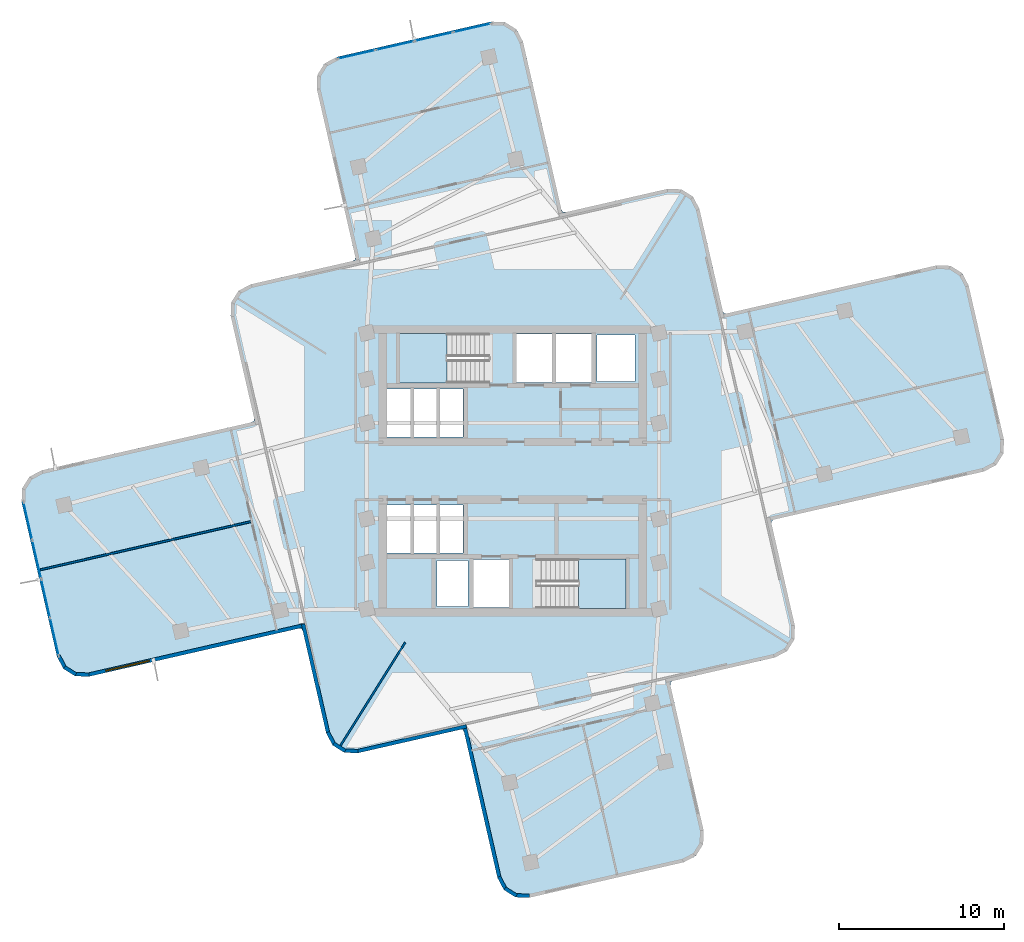
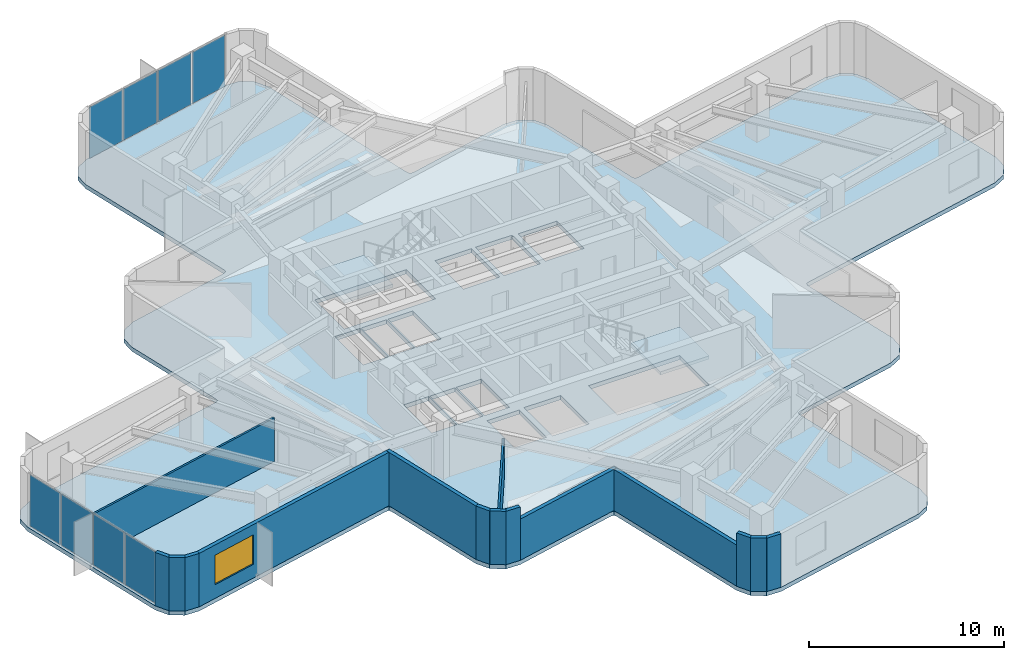
# One storey, part 5 of 11: 15 walls, 8 plates, 3 slabs, 1 window, 1 opening, 4 elements without a shape of their own.
"""IFC4 building model written with IfcOpenShell, lengths in metres."""

import ifcopenshell
import ifcopenshell.guid

model = None  # the IFC model being written
_history = None  # IfcOwnerHistory: only IFC2X3 demands one
_inside = {}  # id of a spatial element -> (the spatial element, [elements in it])
_under = {}  # id of a project, library or spatial element -> (it, [spatial elements below it])
_declared = {}  # id of a project -> (the project, [libraries it declares])
_typed = {}  # id of a type object -> (the type object, [elements of that type])
_made_of = {}  # id of a material, layer set ... -> (it, [elements and type objects made of it])


def new_model(schema):
    """Start an empty IFC model of exactly this schema.

    Asked for "IFC4X3", IfcOpenShell would pick the latest addendum, in which some entities
    have other attributes; the version numbers below select the first issue.
    IFC2X3 requires an IfcOwnerHistory on every rooted entity: one is made here for all.
    """
    global model, _history
    if schema == "IFC4X3":
        model = ifcopenshell.file(schema_version=(4, 3, 0, 0))
    else:
        model = ifcopenshell.file(schema=schema)
    _inside.clear()
    _under.clear()
    _declared.clear()
    _typed.clear()
    _made_of.clear()
    _history = None
    if model.schema == "IFC2X3":
        org = make("IfcOrganization", Name="unknown")
        user = make(
            "IfcPersonAndOrganization",
            ThePerson=make("IfcPerson", FamilyName="unknown"),
            TheOrganization=org,
        )
        app = make(
            "IfcApplication",
            ApplicationDeveloper=org,
            Version="unknown",
            ApplicationFullName="unknown",
            ApplicationIdentifier="unknown",
        )
        _history = make(
            "IfcOwnerHistory",
            OwningUser=user,
            OwningApplication=app,
            ChangeAction="ADDED",
            CreationDate=0,
        )
    return model


def make(cls, **values):
    """One entity of the class cls with the attributes given. An attribute that is None is left unset."""
    return model.create_entity(
        cls, **{name: value for name, value in values.items() if value is not None}
    )


def rooted(cls, **values):
    """An entity with a GlobalId (a new one), such as an element, a storey or a relation."""
    return make(cls, GlobalId=ifcopenshell.guid.new(), OwnerHistory=_history, **values)


def si_unit(unit_type, name, prefix=None):
    """IfcSIUnit, for example si_unit("LENGTHUNIT", "METRE", prefix="MILLI")."""
    return make("IfcSIUnit", UnitType=unit_type, Prefix=prefix, Name=name)


def assignment(units):
    """IfcUnitAssignment: the units of a project."""
    return None if units is None else make("IfcUnitAssignment", Units=units)


def point(xyz):
    """IfcCartesianPoint."""
    return None if xyz is None else make("IfcCartesianPoint", Coordinates=xyz)


def direction(xyz):
    """IfcDirection."""
    return None if xyz is None else make("IfcDirection", DirectionRatios=xyz)


def frame(location, z_axis=None, x_axis=None):
    """IfcAxis2Placement3D, a coordinate frame: its origin and axes. An axis left out is left unset."""
    return make(
        "IfcAxis2Placement3D",
        Location=point(location),
        Axis=direction(z_axis),
        RefDirection=direction(x_axis),
    )


def frame_2d(location, x_axis=None):
    """IfcAxis2Placement2D, a coordinate frame in the plane: its origin and x axis."""
    return make(
        "IfcAxis2Placement2D", Location=point(location), RefDirection=direction(x_axis)
    )


def origin():
    """The frame at (0, 0, 0) with its axes left unset."""
    return frame((0.0, 0.0, 0.0))


def origin_2d():
    """The frame at (0, 0) in the plane with its x axis left unset."""
    return frame_2d((0.0, 0.0))


def place(relative_to, where):
    """IfcLocalPlacement: puts the frame where relative to a parent placement (None: the world)."""
    return make(
        "IfcLocalPlacement", PlacementRelTo=relative_to, RelativePlacement=where
    )


def context(
    kind, dimensions, precision=None, world=None, true_north=None, identifier=None
):
    """IfcGeometricRepresentationContext, for example the 3D "Model" context."""
    return make(
        "IfcGeometricRepresentationContext",
        ContextIdentifier=identifier,
        ContextType=kind,
        CoordinateSpaceDimension=dimensions,
        Precision=precision,
        WorldCoordinateSystem=world,
        TrueNorth=true_north,
    )


def subcontext(parent, identifier, kind, view, scale=None):
    """IfcGeometricRepresentationSubContext, for example "Body" below "Model"."""
    return make(
        "IfcGeometricRepresentationSubContext",
        ContextIdentifier=identifier,
        ContextType=kind,
        ParentContext=parent,
        TargetScale=scale,
        TargetView=view,
    )


def project(units=None, contexts=None):
    """IfcProject with its units and contexts."""
    return rooted(
        "IfcProject",
        Name="project",
        RepresentationContexts=contexts,
        UnitsInContext=assignment(units),
    )


def spatial(cls, under=None, at=None, **own):
    """A site, building, storey or space (cls), placed at a placement, below another one or the project."""
    s = rooted(cls, ObjectPlacement=at, **own)
    if under is not None:
        _under.setdefault(under.id(), (under, []))[1].append(s)
    return s


def polyline(points):
    """IfcPolyline through the points."""
    return make("IfcPolyline", Points=[point(p) for p in points])


def profile(cls, at=None, kind="AREA", **sizes):
    """A parametric profile (cls). Its sizes go by their IFC names, for example OverallWidth=200.0."""
    return make(cls, ProfileType=kind, Position=at, **sizes)


def rectangle(**sizes):
    """IfcRectangleProfileDef."""
    return profile("IfcRectangleProfileDef", **sizes)


def outline(outer, holes=None, kind="AREA"):
    """IfcArbitraryClosedProfileDef: a profile drawn as a closed curve; with holes, ...WithVoids."""
    if holes is None:
        return make("IfcArbitraryClosedProfileDef", ProfileType=kind, OuterCurve=outer)
    return make(
        "IfcArbitraryProfileDefWithVoids",
        ProfileType=kind,
        OuterCurve=outer,
        InnerCurves=holes,
    )


def extrude(swept, where, along, depth):
    """IfcExtrudedAreaSolid: the profile swept, set in the frame where, extruded along a direction by depth."""
    return make(
        "IfcExtrudedAreaSolid",
        SweptArea=swept,
        Position=where,
        ExtrudedDirection=direction(along),
        Depth=depth,
    )


def shape(context_of_items, identifier, shape_type, items):
    """IfcShapeRepresentation: the items that make up one representation, for example the "Body"."""
    return make(
        "IfcShapeRepresentation",
        ContextOfItems=context_of_items,
        RepresentationIdentifier=identifier,
        RepresentationType=shape_type,
        Items=items,
    )


def material(Name=None, Category=None):
    """IfcMaterial."""
    return make("IfcMaterial", Name=Name, Category=Category)


def layer(
    of_material, thickness, ventilated=None, Name=None, Category=None, Priority=None
):
    """IfcMaterialLayer: one layer of a wall or slab, of a material (None: an air gap)."""
    return make(
        "IfcMaterialLayer",
        Material=of_material,
        LayerThickness=thickness,
        IsVentilated=ventilated,
        Name=Name,
        Category=Category,
        Priority=Priority,
    )


def layer_set(layers, Name=None):
    """IfcMaterialLayerSet."""
    return make("IfcMaterialLayerSet", MaterialLayers=layers, LayerSetName=Name)


def made_of(thing, what):
    """Note that an element or type object is made of a material, layer set ...; save() writes the relation."""
    if what is not None:
        _made_of.setdefault(what.id(), (what, []))[1].append(thing)
    return thing


def type_object(cls, material=None, **own):
    """A type object (cls), such as IfcWallType, which elements share."""
    return made_of(rooted(cls, **own), material)


def element(
    cls,
    number,
    at=None,
    inside=None,
    cuts=None,
    type_object=None,
    material=None,
    context=None,
    identifier="Body",
    shape_type=None,
    held_by="IfcProductDefinitionShape",
    body=None,
    shapes=None,
    **own,
):
    """One element of the class cls, such as IfcWall. Its Tag is "e" and its number.

    at: its placement. inside: the storey or other place that contains it. cuts: it is an
    opening in that element (IfcRelVoidsElement). A single representation is given by context,
    identifier, shape_type and body (its items); several are given by shapes. held_by: the class
    of the entity that holds the representations. save() writes the other relations.
    """
    e = rooted(cls, Tag="e%d" % number, ObjectPlacement=at, **own)
    if body is not None:
        shapes = [shape(context, identifier, shape_type, body)]
    if shapes is not None:
        e.Representation = make(held_by, Representations=shapes)
    if inside is not None:
        _inside.setdefault(inside.id(), (inside, []))[1].append(e)
    if cuts is not None:
        rooted(
            "IfcRelVoidsElement", RelatingBuildingElement=cuts, RelatedOpeningElement=e
        )
    if type_object is not None:
        _typed.setdefault(type_object.id(), (type_object, []))[1].append(e)
    return made_of(e, material)


def fill(opening, filler):
    """IfcRelFillsElement: the door or window that sits in an opening."""
    return rooted(
        "IfcRelFillsElement",
        RelatingOpeningElement=opening,
        RelatedBuildingElement=filler,
    )


def aggregate(whole, parts):
    """IfcRelAggregates: a whole, such as a stair, and the parts it consists of."""
    return rooted("IfcRelAggregates", RelatingObject=whole, RelatedObjects=parts)


def save(model, path):
    """Write the relations noted so far, then the file.

    IfcRelAggregates (storeys below a building ...), IfcRelContainedInSpatialStructure (elements
    in a storey), IfcRelDefinesByType, IfcRelAssociatesMaterial and IfcRelDeclares: one each for
    every whole, place, type object, material and project.
    """
    for whole, parts in _under.values():
        aggregate(whole, parts)
    for where, things in _inside.values():
        rooted(
            "IfcRelContainedInSpatialStructure",
            RelatedElements=things,
            RelatingStructure=where,
        )
    for kind, things in _typed.values():
        rooted("IfcRelDefinesByType", RelatedObjects=things, RelatingType=kind)
    for what, things in _made_of.values():
        rooted("IfcRelAssociatesMaterial", RelatedObjects=things, RelatingMaterial=what)
    for by, libraries in _declared.values():
        rooted("IfcRelDeclares", RelatingContext=by, RelatedDefinitions=libraries)
    model.write(path)


model = new_model("IFC4")

# Units and contexts
model_context = context("Model", 3, precision=1e-05, world=origin(), true_north=direction((0.0, 1.0)))
body_context = subcontext(model_context, "Body", "Model", "MODEL_VIEW")
ifc_project = project(units=[si_unit("LENGTHUNIT", "METRE"), si_unit("AREAUNIT", "SQUARE_METRE"), si_unit("VOLUMEUNIT", "CUBIC_METRE"), si_unit("PLANEANGLEUNIT", "RADIAN"), si_unit("MASSUNIT", "GRAM", prefix="KILO")], contexts=[model_context])

# Site, building, storey
site_placement = place(None, origin())
site = spatial("IfcSite", under=ifc_project, at=site_placement, CompositionType="ELEMENT")
building_placement = place(site_placement, origin())
building = spatial("IfcBuilding", under=site, at=building_placement, Name="Solmarez Civic Tower", CompositionType="ELEMENT")
storey_placement = place(building_placement, frame((0.0, 0.0, 119.8798828125)))
storey = spatial("IfcBuildingStorey", under=building, at=storey_placement, Name="L31", CompositionType="ELEMENT", Elevation=119.8798828125)

# Curtain wall, plates
ifc_material_1 = material(Name="Bronze Anodised Aluminium EN AW-6063 T6", Category="aluminium")
ifc_layer_1 = layer(ifc_material_1, 0.2099609375)
ifc_layer_set_1 = layer_set([ifc_layer_1], Name="Bronze Anodised Aluminium EN AW-6063 T6")
curtain_wall_type = type_object("IfcCurtainWallType", Name="CW-SYS-5", PredefinedType="NOTDEFINED", material=ifc_layer_set_1)
curtain_wall_1_placement = place(storey_placement, origin())
curtain_wall_1 = element("IfcCurtainWall", 1, at=curtain_wall_1_placement, inside=storey, type_object=curtain_wall_type, Name="L31 Stick-Built Curtain Wall 1", PredefinedType="NOTDEFINED")
ifc_material_2 = material(Name="Solar Control Low-E Laminated Vision Glass", Category="glass")
ifc_layer_2 = layer(ifc_material_2, 0.028076171875)
ifc_layer_set_2 = layer_set([ifc_layer_2], Name="Solar Control Low-E Laminated Vision Glass")
plate_type = type_object("IfcPlateType", Name="CWP-GLAZ-28", PredefinedType="CURTAIN_PANEL", material=ifc_layer_set_2)
plate_1_placement = place(storey_placement, frame((-27.748779296875, -10.037353515625, 0.065185546875), z_axis=(0.0, 0.0, 1.0), x_axis=(-0.223363812276, 0.974735147292, 0.0)))
plate_1 = element("IfcPlate", 2, at=plate_1_placement, type_object=plate_type, Name="CWS5 panel 1.1", PredefinedType="CURTAIN_PANEL", context=body_context, shape_type="SweptSolid", body=[
    extrude(rectangle(XDim=2.292724609375, YDim=0.028076171875, at=origin_2d()), origin(), (0.0, 0.0, 1.0), 3.2099609375),
])
plate_2_placement = place(storey_placement, frame((-28.281982421875, -7.711181640625, 0.065185546875), z_axis=(0.0, 0.0, 1.0), x_axis=(-0.223363812276, 0.974735147292, 0.0)))
plate_2 = element("IfcPlate", 3, at=plate_2_placement, type_object=plate_type, Name="CWS5 panel 2.1", PredefinedType="CURTAIN_PANEL", context=body_context, shape_type="SweptSolid", body=[
    extrude(rectangle(XDim=2.330322265625, YDim=0.028076171875, at=origin_2d()), origin(), (0.0, 0.0, 1.0), 3.2099609375),
])
plate_3_placement = place(storey_placement, frame((-28.819091796875, -5.36669921875, 0.065185546875), z_axis=(0.0, 0.0, 1.0), x_axis=(-0.223363812276, 0.974735147292, 0.0)))
plate_3 = element("IfcPlate", 4, at=plate_3_placement, type_object=plate_type, Name="CWS5 panel 3.1", PredefinedType="CURTAIN_PANEL", context=body_context, shape_type="SweptSolid", body=[
    extrude(rectangle(XDim=2.330322265625, YDim=0.028076171875, at=origin_2d()), origin(), (0.0, 0.0, 1.0), 3.2099609375),
])
plate_4_placement = place(storey_placement, frame((-29.352294921875, -3.04052734375, 0.065185546875), z_axis=(0.0, 0.0, 1.0), x_axis=(-0.223363812276, 0.974735147292, 0.0)))
plate_4 = element("IfcPlate", 5, at=plate_4_placement, type_object=plate_type, Name="CWS5 panel 4.1", PredefinedType="CURTAIN_PANEL", context=body_context, shape_type="SweptSolid", body=[
    extrude(rectangle(XDim=2.292724609375, YDim=0.028076171875, at=origin_2d()), origin(), (0.0, 0.0, 1.0), 3.2099609375),
])
aggregate(curtain_wall_1, [plate_1, plate_2, plate_3, plate_4])

curtain_wall_2_placement = place(storey_placement, origin())
curtain_wall_2 = element("IfcCurtainWall", 6, at=curtain_wall_2_placement, inside=storey, type_object=curtain_wall_type, Name="L31 Stick-Built Curtain Wall 2", PredefinedType="NOTDEFINED")
plate_5_placement = place(storey_placement, frame((-9.45654296875, 25.21484375, 0.065185546875), z_axis=(0.0, 0.0, 1.0), x_axis=(0.974729960868, 0.223386444051, 0.0)))
plate_5 = element("IfcPlate", 7, at=plate_5_placement, type_object=plate_type, Name="CWS5 panel 1.1", PredefinedType="CURTAIN_PANEL", context=body_context, shape_type="SweptSolid", body=[
    extrude(rectangle(XDim=2.29248046875, YDim=0.028076171875, at=origin_2d()), origin(), (0.0, 0.0, 1.0), 3.2099609375),
])
plate_6_placement = place(storey_placement, frame((-7.130615234375, 25.747802734375, 0.065185546875), z_axis=(0.0, 0.0, 1.0), x_axis=(0.974729960868, 0.223386444051, 0.0)))
plate_6 = element("IfcPlate", 8, at=plate_6_placement, type_object=plate_type, Name="CWS5 panel 2.1", PredefinedType="CURTAIN_PANEL", context=body_context, shape_type="SweptSolid", body=[
    extrude(rectangle(XDim=2.330078125, YDim=0.028076171875, at=origin_2d()), origin(), (0.0, 0.0, 1.0), 3.2099609375),
])
plate_7_placement = place(storey_placement, frame((-4.786376953125, 26.28515625, 0.065185546875), z_axis=(0.0, 0.0, 1.0), x_axis=(0.974729960868, 0.223386444051, 0.0)))
plate_7 = element("IfcPlate", 9, at=plate_7_placement, type_object=plate_type, Name="CWS5 panel 3.1", PredefinedType="CURTAIN_PANEL", context=body_context, shape_type="SweptSolid", body=[
    extrude(rectangle(XDim=2.330078125, YDim=0.028076171875, at=origin_2d()), origin(), (0.0, 0.0, 1.0), 3.2099609375),
])
plate_8_placement = place(storey_placement, frame((-2.46044921875, 26.818115234375, 0.065185546875), z_axis=(0.0, 0.0, 1.0), x_axis=(0.974729960868, 0.223386444051, 0.0)))
plate_8 = element("IfcPlate", 10, at=plate_8_placement, type_object=plate_type, Name="CWS5 panel 4.1", PredefinedType="CURTAIN_PANEL", context=body_context, shape_type="SweptSolid", body=[
    extrude(rectangle(XDim=2.29248046875, YDim=0.028076171875, at=origin_2d()), origin(), (0.0, 0.0, 1.0), 3.2099609375),
])
aggregate(curtain_wall_2, [plate_5, plate_6, plate_7, plate_8])

# Stair, slab
ifc_material_3 = material(Name="Concrete C50/60", Category="concrete")
stair_type = type_object("IfcStairType", Name="STAIR-DOGLEG-140W-20R-1800", PredefinedType="HALF_TURN_STAIR", material=ifc_material_3)
stair_1_placement = place(storey_placement, origin())
stair_1 = element("IfcStair", 11, at=stair_1_placement, inside=storey, type_object=stair_type, Name="L31 North Core Protected Exit Stair ST-1", PredefinedType="HALF_TURN_STAIR")
ifc_layer_3 = layer(ifc_material_3, 0.199951171875)
ifc_layer_set_3 = layer_set([ifc_layer_3], Name="Concrete C50/60")
slab_type_1 = type_object("IfcSlabType", Name="SLAB-LANDING-200", PredefinedType="LANDING", material=ifc_layer_set_3)
slab_1_placement = place(storey_placement, frame((0.0, 0.0, 1.60009765625)))
slab_1 = element("IfcSlab", 12, at=slab_1_placement, type_object=slab_type_1, Name="ST-1 landing 1", PredefinedType="LANDING", context=body_context, shape_type="SweptSolid", body=[
    extrude(outline(polyline([(-3.969970703125, 8.320068359375), (-6.85009765625, 8.320068359375), (-6.85009765625, 5.320068359375), (-3.969970703125, 5.320068359375), (-3.969970703125, 8.320068359375)])), origin(), (0.0, 0.0, 1.0), 0.199951171875),
])
aggregate(stair_1, [slab_1])

stair_2_placement = place(storey_placement, origin())
stair_2 = element("IfcStair", 13, at=stair_2_placement, inside=storey, type_object=stair_type, Name="L31 South Core Protected Exit Stair ST-2", PredefinedType="HALF_TURN_STAIR")
slab_2_placement = place(storey_placement, frame((0.0, 0.0, 1.60009765625)))
slab_2 = element("IfcSlab", 14, at=slab_2_placement, type_object=slab_type_1, Name="ST-2 landing 1", PredefinedType="LANDING", context=body_context, shape_type="SweptSolid", body=[
    extrude(outline(polyline([(3.969970703125, -8.320068359375), (6.85009765625, -8.320068359375), (6.85009765625, -5.320068359375), (3.969970703125, -5.320068359375), (3.969970703125, -8.320068359375)])), origin(), (0.0, 0.0, 1.0), 0.199951171875),
])
aggregate(stair_2, [slab_2])

# Slab
ifc_layer_4 = layer(ifc_material_3, 0.260009765625)
ifc_layer_set_4 = layer_set([ifc_layer_4], Name="Concrete C50/60")
slab_type_2 = type_object("IfcSlabType", Name="SLAB-TOWER-260", PredefinedType="FLOOR", material=ifc_layer_set_4)
slab_3_placement = place(storey_placement, frame((0.0, 0.0, -0.259765625)))
element("IfcSlab", 15, at=slab_3_placement, inside=storey, type_object=slab_type_2, Name="L31 Structural Slab", PredefinedType="FLOOR", context=body_context, shape_type="SweptSolid", body=[
    extrude(outline(polyline([(-12.70703125, -9.69189453125), (-11.2919921875, -15.87109375), (-10.904052734375, -16.60302734375), (-10.202880859375, -17.0439453125), (-9.375, -17.073974609375), (-3.196044921875, -15.658935546875), (-3.02392578125, -15.6650390625), (-2.943115234375, -15.81689453125), (-0.925048828125, -24.6279296875), (-0.5380859375, -25.360107421875), (0.1640625, -25.800048828125), (0.991943359375, -25.8310546875), (10.34912109375, -23.68701171875), (11.0810546875, -23.300048828125), (11.52099609375, -22.597900390625), (11.552001953125, -21.77099609375), (9.533935546875, -12.958984375), (9.5400390625, -12.787109375), (9.69189453125, -12.70703125), (15.87109375, -11.2919921875), (16.60302734375, -10.904052734375), (17.0439453125, -10.202880859375), (17.073974609375, -9.375), (15.658935546875, -3.196044921875), (15.6650390625, -3.02392578125), (15.81689453125, -2.943115234375), (28.527099609375, -0.031982421875), (29.259033203125, 0.35498046875), (29.698974609375, 1.056884765625), (29.72998046875, 1.885009765625), (27.5859375, 11.241943359375), (27.198974609375, 11.97412109375), (26.4970703125, 12.4140625), (25.669921875, 12.445068359375), (12.958984375, 9.533935546875), (12.787109375, 9.5400390625), (12.70703125, 9.69189453125), (11.2919921875, 15.87109375), (10.904052734375, 16.60302734375), (10.202880859375, 17.0439453125), (9.375, 17.073974609375), (3.196044921875, 15.658935546875), (3.02392578125, 15.6650390625), (2.943115234375, 15.81689453125), (0.613037109375, 25.992919921875), (0.22509765625, 26.72509765625), (-0.47705078125, 27.1650390625), (-1.303955078125, 27.195068359375), (-10.662109375, 25.052001953125), (-11.39404296875, 24.6640625), (-11.833984375, 23.962890625), (-11.864013671875, 23.135009765625), (-9.533935546875, 12.958984375), (-9.5400390625, 12.787109375), (-9.69189453125, 12.70703125), (-15.87109375, 11.2919921875), (-16.60302734375, 10.904052734375), (-17.0439453125, 10.202880859375), (-17.073974609375, 9.375), (-15.658935546875, 3.196044921875), (-15.6650390625, 3.02392578125), (-15.81689453125, 2.943115234375), (-28.527099609375, 0.031982421875), (-29.259033203125, -0.35498046875), (-29.698974609375, -1.056884765625), (-29.72998046875, -1.885009765625), (-27.5859375, -11.241943359375), (-27.198974609375, -11.97412109375), (-26.4970703125, -12.4140625), (-25.669921875, -12.445068359375), (-12.958984375, -9.533935546875), (-12.787109375, -9.5400390625), (-12.70703125, -9.69189453125)]), holes=[polyline([(-1.449951171875, 8.320068359375), (-6.85009765625, 8.320068359375), (-6.85009765625, 5.320068359375), (-1.449951171875, 5.320068359375), (-1.449951171875, 8.320068359375)]), polyline([(1.449951171875, -8.320068359375), (6.85009765625, -8.320068359375), (6.85009765625, -5.320068359375), (1.449951171875, -5.320068359375), (1.449951171875, -8.320068359375)]), polyline([(0.219970703125, 5.360107421875), (2.3798828125, 5.360107421875), (2.3798828125, 8.280029296875), (0.219970703125, 8.280029296875), (0.219970703125, 5.360107421875)]), polyline([(2.6201171875, 5.360107421875), (4.780029296875, 5.360107421875), (4.780029296875, 8.280029296875), (2.6201171875, 8.280029296875), (2.6201171875, 5.360107421875)]), polyline([(-2.3798828125, -8.280029296875), (-0.219970703125, -8.280029296875), (-0.219970703125, -5.360107421875), (-2.3798828125, -5.360107421875), (-2.3798828125, -8.280029296875)]), polyline([(-7.60009765625, -4.9599609375), (-6.1201171875, -4.9599609375), (-6.1201171875, -2.06005859375), (-7.60009765625, -2.06005859375), (-7.60009765625, -4.9599609375)]), polyline([(-6.0400390625, -4.9599609375), (-4.56005859375, -4.9599609375), (-4.56005859375, -2.06005859375), (-6.0400390625, -2.06005859375), (-6.0400390625, -4.9599609375)]), polyline([(-4.47998046875, -4.9599609375), (-3.0, -4.9599609375), (-3.0, -2.06005859375), (-4.47998046875, -2.06005859375), (-4.47998046875, -4.9599609375)]), polyline([(-7.60009765625, 2.06005859375), (-6.1201171875, 2.06005859375), (-6.1201171875, 4.9599609375), (-7.60009765625, 4.9599609375), (-7.60009765625, 2.06005859375)]), polyline([(-6.0400390625, 2.06005859375), (-4.56005859375, 2.06005859375), (-4.56005859375, 4.9599609375), (-6.0400390625, 4.9599609375), (-6.0400390625, 2.06005859375)]), polyline([(-4.47998046875, 2.06005859375), (-3.0, 2.06005859375), (-3.0, 4.9599609375), (-4.47998046875, 4.9599609375), (-4.47998046875, 2.06005859375)]), polyline([(5.10009765625, 5.419921875), (7.39990234375, 5.419921875), (7.39990234375, 8.219970703125), (5.10009765625, 8.219970703125), (5.10009765625, 5.419921875)]), polyline([(-4.60009765625, -8.219970703125), (-2.699951171875, -8.219970703125), (-2.699951171875, -5.419921875), (-4.60009765625, -5.419921875), (-4.60009765625, -8.219970703125)])]), origin(), (0.0, 0.0, 1.0), 0.259765625),
])

# Wall, opening, window
ifc_material_4 = material(Name="Precast concrete C40/50", Category="concrete")
ifc_layer_5 = layer(ifc_material_4, 0.219970703125)
ifc_layer_set_5 = layer_set([ifc_layer_5], Name="Precast concrete C40/50")
wall_type_1 = type_object("IfcWallType", Name="WALL-EXT-220", PredefinedType="SOLIDWALL", material=ifc_layer_set_5)
wall_1_placement = place(storey_placement, frame((-12.5849609375, -9.3349609375, 0.0), z_axis=(0.0, 0.0, 1.0), x_axis=(-0.974754036658, -0.223281365141, 0.0)))
wall_1 = element("IfcWall", 16, at=wall_1_placement, inside=storey, type_object=wall_type_1, Name="L31 Exterior Precast Wall 2", PredefinedType="SOLIDWALL", context=body_context, shape_type="SweptSolid", body=[
    extrude(rectangle(XDim=13.458984375, YDim=0.219970703125, at=frame_2d((6.7294921875, 0.0))), origin(), (0.0, 0.0, 1.0), 3.340087890625),
])
opening_placement = place(wall_1_placement, frame((9.658935546875, 0.0, 0.85009765625)))
opening = element("IfcOpeningElement", 17, at=opening_placement, cuts=wall_1, Name="Opening W-05", PredefinedType="OPENING", context=body_context, shape_type="SweptSolid", body=[
    extrude(rectangle(XDim=2.699951171875, YDim=1.85009765625, at=frame_2d((1.35009765625, 0.925048828125))), frame((0.0, 0.119873046875, 0.0), z_axis=(0.0, -1.0, 0.0), x_axis=(1.0, 0.0, 0.0)), (0.0, 0.0, 1.0), 0.239990234375),
])
ifc_material_5 = material(Name="Solar Control Bronze-Tinted Insulating Glass", Category="glass")
window_type = type_object("IfcWindowType", Name="WIN-2700X1850", PartitioningType="SINGLE_PANEL", PredefinedType="WINDOW", material=ifc_material_5)
window_placement = place(opening_placement, origin())
window = element("IfcWindow", 18, at=window_placement, inside=storey, type_object=window_type, Name="L31 Exterior Facade Window 2", OverallHeight=1.85009765625, OverallWidth=2.699951171875, PartitioningType="SINGLE_PANEL", PredefinedType="WINDOW", context=body_context, shape_type="SweptSolid", body=[
    extrude(rectangle(XDim=2.699951171875, YDim=1.85009765625, at=frame_2d((1.35009765625, 0.925048828125))), frame((0.0, 0.030029296875, 0.0), z_axis=(0.0, -1.0, 0.0), x_axis=(1.0, 0.0, 0.0)), (0.0, 0.0, 1.0), 0.06005859375),
])
fill(opening, window)

# Walls
wall_2_placement = place(storey_placement, frame((-25.655029296875, -12.3349609375, 0.0), z_axis=(0.0, 0.0, 1.0), x_axis=(-0.999352376715, 0.035983706773, 0.0)))
element("IfcWall", 19, at=wall_2_placement, inside=storey, type_object=wall_type_1, Name="L31 Exterior Precast Wall 3", PredefinedType="SOLIDWALL", context=body_context, shape_type="SweptSolid", body=[
    extrude(rectangle(XDim=0.83447265625, YDim=0.219970703125, at=frame_2d((0.417236328125, 0.0))), origin(), (0.0, 0.0, 1.0), 3.340087890625),
])
wall_3_placement = place(storey_placement, frame((-26.443115234375, -12.319091796875, 0.0), z_axis=(0.0, 0.0, 1.0), x_axis=(-0.846889988853, 0.531768132536, 0.0)))
element("IfcWall", 20, at=wall_3_placement, inside=storey, type_object=wall_type_1, Name="L31 Exterior Precast Wall 4", PredefinedType="SOLIDWALL", context=body_context, shape_type="SweptSolid", body=[
    extrude(rectangle(XDim=0.818115234375, YDim=0.219970703125, at=frame_2d((0.4091796875, 0.0))), origin(), (0.0, 0.0, 1.0), 3.340087890625),
])
wall_4_placement = place(storey_placement, frame((-27.10302734375, -11.9189453125, 0.0), z_axis=(0.0, 0.0, 1.0), x_axis=(-0.468506090516, 0.883460266876, 0.0)))
element("IfcWall", 21, at=wall_4_placement, inside=storey, type_object=wall_type_1, Name="L31 Exterior Precast Wall 5", PredefinedType="SOLIDWALL", context=body_context, shape_type="SweptSolid", body=[
    extrude(rectangle(XDim=0.834228515625, YDim=0.219970703125, at=frame_2d((0.4169921875, 0.0))), origin(), (0.0, 0.0, 1.0), 3.340087890625),
])
wall_5_placement = place(storey_placement, frame((1.006103515625, -25.720947265625, 0.0), z_axis=(0.0, 0.0, 1.0), x_axis=(-0.999307996296, 0.037195813461, 0.0)))
element("IfcWall", 22, at=wall_5_placement, inside=storey, type_object=wall_type_1, Name="L31 Exterior Precast Wall 61", PredefinedType="SOLIDWALL", context=body_context, shape_type="SweptSolid", body=[
    extrude(rectangle(XDim=0.83349609375, YDim=0.219970703125, at=frame_2d((0.416748046875, 0.0))), origin(), (0.0, 0.0, 1.0), 3.340087890625),
])
wall_6_placement = place(storey_placement, frame((0.218994140625, -25.7041015625, 0.0), z_axis=(0.0, 0.0, 1.0), x_axis=(-0.847847482865, 0.530240177466, 0.0)))
element("IfcWall", 23, at=wall_6_placement, inside=storey, type_object=wall_type_1, Name="L31 Exterior Precast Wall 62", PredefinedType="SOLIDWALL", context=body_context, shape_type="SweptSolid", body=[
    extrude(rectangle(XDim=0.818603515625, YDim=0.219970703125, at=frame_2d((0.4091796875, 0.0))), origin(), (0.0, 0.0, 1.0), 3.340087890625),
])
wall_7_placement = place(storey_placement, frame((-0.44189453125, -25.304931640625, 0.0), z_axis=(0.0, 0.0, 1.0), x_axis=(-0.468250279951, 0.883595877835, 0.0)))
element("IfcWall", 24, at=wall_7_placement, inside=storey, type_object=wall_type_1, Name="L31 Exterior Precast Wall 63", PredefinedType="SOLIDWALL", context=body_context, shape_type="SweptSolid", body=[
    extrude(rectangle(XDim=0.835205078125, YDim=0.219970703125, at=frame_2d((0.41748046875, 0.0))), origin(), (0.0, 0.0, 1.0), 3.340087890625),
])
wall_8_placement = place(storey_placement, frame((-0.81494140625, -24.613037109375, 0.0), z_axis=(0.0, 0.0, 1.0), x_axis=(-0.223313309104, 0.974746718885, 0.0)))
element("IfcWall", 25, at=wall_8_placement, inside=storey, type_object=wall_type_1, Name="L31 Exterior Precast Wall 64", PredefinedType="SOLIDWALL", context=body_context, shape_type="SweptSolid", body=[
    extrude(rectangle(XDim=9.457763671875, YDim=0.219970703125, at=frame_2d((4.72900390625, 0.0))), origin(), (0.0, 0.0, 1.0), 2.570068359375),
])
wall_9_placement = place(storey_placement, frame((-2.821044921875, -15.4599609375, 0.0), z_axis=(0.0, 0.0, 1.0), x_axis=(-0.974754598481, -0.223278912438, 0.0)))
element("IfcWall", 26, at=wall_9_placement, inside=storey, type_object=wall_type_1, Name="L31 Exterior Precast Wall 67", PredefinedType="SOLIDWALL", context=body_context, shape_type="SweptSolid", body=[
    extrude(rectangle(XDim=6.758544921875, YDim=0.219970703125, at=frame_2d((3.37939453125, 0.0))), origin(), (0.0, 0.0, 1.0), 2.570068359375),
])
wall_10_placement = place(storey_placement, frame((-9.360107421875, -16.964111328125, 0.0), z_axis=(0.0, 0.0, 1.0), x_axis=(-0.999352376715, 0.035983706773, 0.0)))
element("IfcWall", 27, at=wall_10_placement, inside=storey, type_object=wall_type_1, Name="L31 Exterior Precast Wall 68", PredefinedType="SOLIDWALL", context=body_context, shape_type="SweptSolid", body=[
    extrude(rectangle(XDim=0.83447265625, YDim=0.219970703125, at=frame_2d((0.417236328125, 0.0))), origin(), (0.0, 0.0, 1.0), 3.340087890625),
])
wall_11_placement = place(storey_placement, frame((-10.14794921875, -16.947998046875, 0.0), z_axis=(0.0, 0.0, 1.0), x_axis=(-0.847311109497, 0.531096868492, 0.0)))
element("IfcWall", 28, at=wall_11_placement, inside=storey, type_object=wall_type_1, Name="L31 Exterior Precast Wall 69", PredefinedType="SOLIDWALL", context=body_context, shape_type="SweptSolid", body=[
    extrude(rectangle(XDim=0.819091796875, YDim=0.219970703125, at=frame_2d((0.40966796875, 0.0))), origin(), (0.0, 0.0, 1.0), 3.340087890625),
])
wall_12_placement = place(storey_placement, frame((-10.80908203125, -16.548095703125, 0.0), z_axis=(0.0, 0.0, 1.0), x_axis=(-0.468506090516, 0.883460266876, 0.0)))
element("IfcWall", 29, at=wall_12_placement, inside=storey, type_object=wall_type_1, Name="L31 Exterior Precast Wall 70", PredefinedType="SOLIDWALL", context=body_context, shape_type="SweptSolid", body=[
    extrude(rectangle(XDim=0.834228515625, YDim=0.219970703125, at=frame_2d((0.4169921875, 0.0))), origin(), (0.0, 0.0, 1.0), 3.340087890625),
])
wall_13_placement = place(storey_placement, frame((-11.181884765625, -15.85693359375, 0.0), z_axis=(0.0, 0.0, 1.0), x_axis=(-0.223278912438, 0.974754598481, 0.0)))
element("IfcWall", 30, at=wall_13_placement, inside=storey, type_object=wall_type_1, Name="L31 Exterior Precast Wall 71", PredefinedType="SOLIDWALL", context=body_context, shape_type="SweptSolid", body=[
    extrude(rectangle(XDim=6.758544921875, YDim=0.219970703125, at=frame_2d((3.37939453125, 0.0))), origin(), (0.0, 0.0, 1.0), 3.340087890625),
])
ifc_material_6 = material(Name="Gypsum Board Acoustic Steel-Stud Partition", Category="steel")
ifc_layer_6 = layer(ifc_material_6, 0.110107421875)
ifc_layer_set_6 = layer_set([ifc_layer_6], Name="Gypsum Board Acoustic Steel-Stud Partition")
wall_type_2 = type_object("IfcWallType", Name="WALL-INT-PART-110", PredefinedType="PARTITIONING", material=ifc_layer_set_6)
wall_14_placement = place(storey_placement, frame((-6.511962890625, -10.3798828125, 0.0), z_axis=(0.0, 0.0, 1.0), x_axis=(-0.531323053356, -0.847169294163, 0.0)))
element("IfcWall", 31, at=wall_14_placement, inside=storey, type_object=wall_type_2, Name="L31 Interior Partition PT-L31-QDIV-3", PredefinedType="PARTITIONING", context=body_context, shape_type="SweptSolid", body=[
    extrude(rectangle(XDim=7.42138671875, YDim=0.110107421875, at=frame_2d((3.710693359375, 0.0))), origin(), (0.0, 0.0, 1.0), 2.570068359375),
])
wall_15_placement = place(storey_placement, frame((-15.85498046875, -3.06689453125, 0.0), z_axis=(0.0, 0.0, 1.0), x_axis=(-0.974758398925, -0.223262320434, 0.0)))
element("IfcWall", 32, at=wall_15_placement, inside=storey, type_object=wall_type_2, Name="L31 Interior Partition PT-L31-W-TSP", PredefinedType="PARTITIONING", context=body_context, shape_type="SweptSolid", body=[
    extrude(rectangle(XDim=13.0751953125, YDim=0.110107421875, at=frame_2d((6.53759765625, 0.0))), origin(), (0.0, 0.0, 1.0), 2.72021484375),
])

save(model, "model.ifc")
